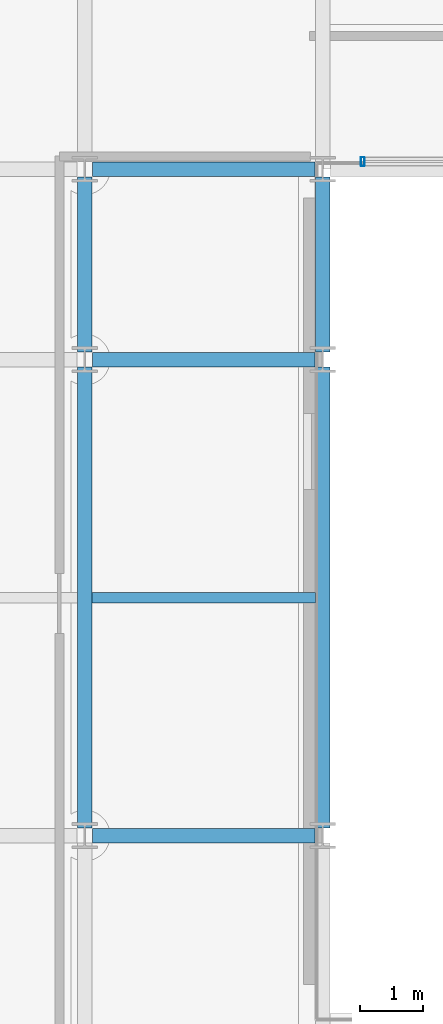
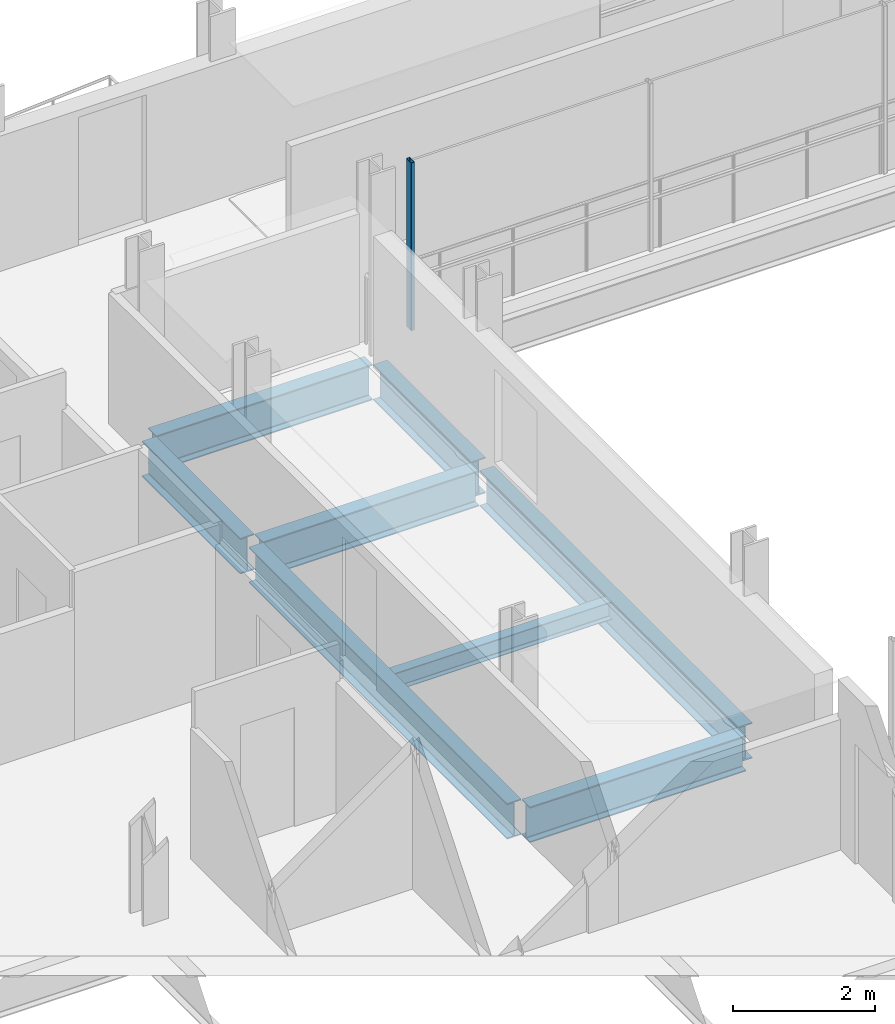
# One storey, part 10 of 38: 8 beams, 1 member, 1 element without a shape of its own.
"""IFC4 building model written with IfcOpenShell, lengths in metres."""

from ifc_helpers import new_model, si_unit, direction, frame, origin, origin_2d, place, context, subcontext, project, spatial, hollow_rectangle, i_section, extrude, material, layer, layer_set, material_profile, profile_set, type_object, element, aggregate, save


model = new_model("IFC4")

# Units and contexts
model_context = context("Model", 3, precision=1e-05, world=origin(), true_north=direction((0.0, 1.0)))
body_context = subcontext(model_context, "Body", "Model", "MODEL_VIEW")
ifc_project = project(units=[si_unit("LENGTHUNIT", "METRE"), si_unit("AREAUNIT", "SQUARE_METRE"), si_unit("VOLUMEUNIT", "CUBIC_METRE"), si_unit("PLANEANGLEUNIT", "RADIAN"), si_unit("MASSUNIT", "GRAM", prefix="KILO")], contexts=[model_context])

# Site, building, storey
site_placement = place(None, origin())
site = spatial("IfcSite", under=ifc_project, at=site_placement, CompositionType="ELEMENT")
building_placement = place(site_placement, origin())
building = spatial("IfcBuilding", under=site, at=building_placement, Name="Brevholm Reach", CompositionType="ELEMENT")
storey_placement = place(building_placement, frame((0.0, 0.0, 141.800048828125)))
storey = spatial("IfcBuildingStorey", under=building, at=storey_placement, Name="L42", CompositionType="ELEMENT", Elevation=141.800048828125)

# Beams
ifc_material_1 = material(Name="Structural Steel S355J2", Category="steel")
ifc_material_profile_1 = material_profile(ifc_material_1, i_section(OverallWidth=0.1650390625, OverallDepth=0.303466796875, WebThickness=0.006103515625, FlangeThickness=0.01025390625, FilletRadius=0.0087890625, at=origin_2d()), Name="UKB 305x165x40")
ifc_profile_set_1 = profile_set([ifc_material_profile_1], Name="Structural Steel S355J2")
beam_type_1 = type_object("IfcBeamType", Name="BM-B305", PredefinedType="BEAM", material=ifc_profile_set_1)
beam_1_placement = place(storey_placement, frame((18.114501953125, 19.75, -0.371826171875), z_axis=(1.0, 0.0, 0.0), x_axis=(0.0, 1.0, 0.0)))
element("IfcBeam", 1, at=beam_1_placement, inside=storey, type_object=beam_type_1, Name="L42 Composite Secondary Floor Beam", PredefinedType="BEAM", context=body_context, shape_type="SweptSolid", body=[
    extrude(i_section(OverallWidth=0.1650390625, OverallDepth=0.303466796875, WebThickness=0.006103515625, FlangeThickness=0.01025390625, FilletRadius=0.0087890625, at=origin_2d()), origin(), (0.0, 0.0, 1.0), 3.52099609375),
])
ifc_material_2 = material(Name="Structural Steel S355J2", Category="steel")
ifc_material_profile_2 = material_profile(ifc_material_2, i_section(OverallWidth=0.22900390625, OverallDepth=0.6123046875, WebThickness=0.011962890625, FlangeThickness=0.01953125, FilletRadius=0.0126953125, at=origin_2d()), Name="UKB 610x229x125")
ifc_profile_set_2 = profile_set([ifc_material_profile_2], Name="Structural Steel S355J2")
beam_type_2 = type_object("IfcBeamType", Name="BM-SP610", PredefinedType="SPANDREL", material=ifc_profile_set_2)
for number, where, z_axis, x_axis, name in (
    (2, (18.1201171875, 16.0, -0.526123046875), (1.0, 0.0, 0.0), (0.0, 1.0, 0.0), "L42 SP-01 Framing Beam"),
    (3, (18.1201171875, 23.5, -0.526123046875), (1.0, 0.0, 0.0), (0.0, 1.0, 0.0), "L42 SP-01 Framing Beam"),
    (4, (18.1201171875, 26.5, -0.526123046875), (1.0, 0.0, 0.0), (0.0, 1.0, 0.0), "L42 SP-01 Framing Beam"),
):
    element("IfcBeam", number, at=place(storey_placement, frame(where, z_axis=z_axis, x_axis=x_axis)), inside=storey, type_object=beam_type_2, Name=name, PredefinedType="SPANDREL", context=body_context, shape_type="SweptSolid", body=[
        extrude(i_section(OverallWidth=0.22900390625, OverallDepth=0.6123046875, WebThickness=0.011962890625, FlangeThickness=0.01953125, FilletRadius=0.0126953125, at=origin_2d()), origin(), (0.0, 0.0, 1.0), 3.509765625),
    ])
beam_2_placement = place(storey_placement, frame((18.0, 16.1201171875, -0.526123046875), z_axis=(0.0, 1.0, 0.0), x_axis=(-1.0, 0.0, 0.0)))
element("IfcBeam", 5, at=beam_2_placement, inside=storey, type_object=beam_type_2, Name="L42 SP-01 Framing Beam", PredefinedType="SPANDREL", context=body_context, shape_type="SweptSolid", body=[
    extrude(i_section(OverallWidth=0.22900390625, OverallDepth=0.6123046875, WebThickness=0.011962890625, FlangeThickness=0.01953125, FilletRadius=0.0126953125, at=origin_2d()), origin(), (0.0, 0.0, 1.0), 7.259765625),
])
beam_3_placement = place(storey_placement, frame((18.0, 23.6201171875, -0.526123046875), z_axis=(0.0, 1.0, 0.0), x_axis=(-1.0, 0.0, 0.0)))
element("IfcBeam", 6, at=beam_3_placement, inside=storey, type_object=beam_type_2, Name="L42 SP-01 Framing Beam", PredefinedType="SPANDREL", context=body_context, shape_type="SweptSolid", body=[
    extrude(i_section(OverallWidth=0.22900390625, OverallDepth=0.6123046875, WebThickness=0.011962890625, FlangeThickness=0.01953125, FilletRadius=0.0126953125, at=origin_2d()), origin(), (0.0, 0.0, 1.0), 2.759765625),
])
beam_4_placement = place(storey_placement, frame((21.75, 16.1201171875, -0.526123046875), z_axis=(0.0, 1.0, 0.0), x_axis=(-1.0, 0.0, 0.0)))
element("IfcBeam", 7, at=beam_4_placement, inside=storey, type_object=beam_type_2, Name="L42 SP-01 Framing Beam", PredefinedType="SPANDREL", context=body_context, shape_type="SweptSolid", body=[
    extrude(i_section(OverallWidth=0.22900390625, OverallDepth=0.6123046875, WebThickness=0.011962890625, FlangeThickness=0.01953125, FilletRadius=0.0126953125, at=origin_2d()), origin(), (0.0, 0.0, 1.0), 7.259765625),
])
beam_5_placement = place(storey_placement, frame((21.75, 23.6201171875, -0.526123046875), z_axis=(0.0, 1.0, 0.0), x_axis=(-1.0, 0.0, 0.0)))
element("IfcBeam", 8, at=beam_5_placement, inside=storey, type_object=beam_type_2, Name="L42 SP-01 Framing Beam", PredefinedType="SPANDREL", context=body_context, shape_type="SweptSolid", body=[
    extrude(i_section(OverallWidth=0.22900390625, OverallDepth=0.6123046875, WebThickness=0.011962890625, FlangeThickness=0.01953125, FilletRadius=0.0126953125, at=origin_2d()), origin(), (0.0, 0.0, 1.0), 2.759765625),
])

# Curtain wall, member
ifc_material_3 = material(Name="Dark Anodised Aluminium 6063-T6 and Solar-Control Glass", Category="aluminium")
ifc_layer = layer(ifc_material_3, 0.139892578125)
ifc_layer_set = layer_set([ifc_layer], Name="Dark Anodised Aluminium 6063-T6 and Solar-Control Glass")
curtain_wall_type = type_object("IfcCurtainWallType", Name="CW-02", PredefinedType="NOTDEFINED", material=ifc_layer_set)
curtain_wall_placement = place(storey_placement, origin())
curtain_wall = element("IfcCurtainWall", 9, at=curtain_wall_placement, inside=storey, type_object=curtain_wall_type, Name="L42 Curtain Wall CW-02", PredefinedType="NOTDEFINED")
ifc_material_4 = material(Name="Dark Anodised Aluminium 6063-T6", Category="aluminium")
ifc_material_profile_3 = material_profile(ifc_material_4, hollow_rectangle(XDim=0.06005859375, YDim=0.139892578125, WallThickness=0.0048828125, InnerFilletRadius=0.0048828125, OuterFilletRadius=0.010009765625, at=origin_2d()), Name="RHS 140x60x5")
ifc_profile_set_3 = profile_set([ifc_material_profile_3], Name="Dark Anodised Aluminium 6063-T6")
member_type = type_object("IfcMemberType", Name="CWM-140", PredefinedType="MULLION", material=ifc_profile_set_3)
member_placement = place(storey_placement, frame((22.3798828125, 26.6201171875, 0.0), z_axis=(0.0, 0.0, 1.0), x_axis=(-1.0, 0.0, 0.0)))
member = element("IfcMember", 10, at=member_placement, type_object=member_type, Name="CM-140 Mullion 5", PredefinedType="MULLION", context=body_context, shape_type="SweptSolid", body=[
    extrude(hollow_rectangle(XDim=0.06005859375, YDim=0.139892578125, WallThickness=0.0048828125, InnerFilletRadius=0.0048828125, OuterFilletRadius=0.010009765625, at=origin_2d()), origin(), (0.0, 0.0, 1.0), 2.8798828125),
])
aggregate(curtain_wall, [member])

save(model, "model.ifc")
